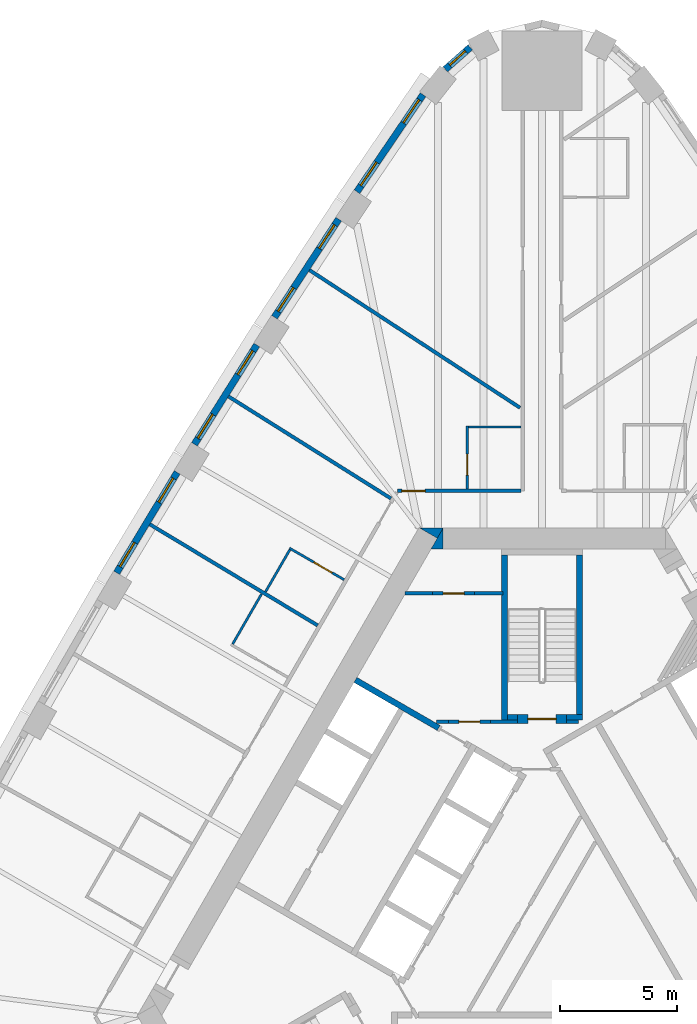
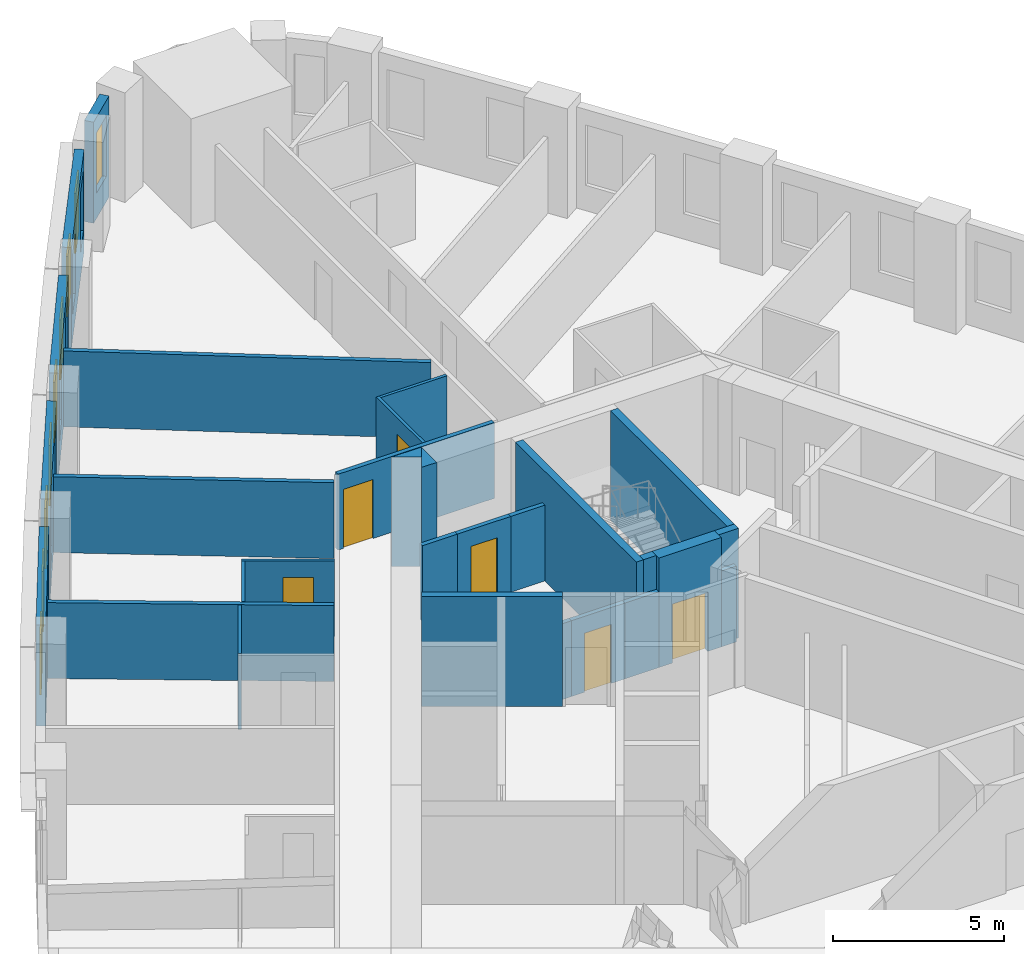
# One storey, part 9 of 12: 29 walls, 9 windows, 6 doors, 15 openings.
"""IFC4 building model written with IfcOpenShell, lengths in metres."""

import ifcopenshell
import ifcopenshell.guid

model = None  # the IFC model being written
_history = None  # IfcOwnerHistory: only IFC2X3 demands one
_inside = {}  # id of a spatial element -> (the spatial element, [elements in it])
_under = {}  # id of a project, library or spatial element -> (it, [spatial elements below it])
_declared = {}  # id of a project -> (the project, [libraries it declares])
_typed = {}  # id of a type object -> (the type object, [elements of that type])
_made_of = {}  # id of a material, layer set ... -> (it, [elements and type objects made of it])


def new_model(schema):
    """Start an empty IFC model of exactly this schema.

    Asked for "IFC4X3", IfcOpenShell would pick the latest addendum, in which some entities
    have other attributes; the version numbers below select the first issue.
    IFC2X3 requires an IfcOwnerHistory on every rooted entity: one is made here for all.
    """
    global model, _history
    if schema == "IFC4X3":
        model = ifcopenshell.file(schema_version=(4, 3, 0, 0))
    else:
        model = ifcopenshell.file(schema=schema)
    _inside.clear()
    _under.clear()
    _declared.clear()
    _typed.clear()
    _made_of.clear()
    _history = None
    if model.schema == "IFC2X3":
        org = make("IfcOrganization", Name="unknown")
        user = make(
            "IfcPersonAndOrganization",
            ThePerson=make("IfcPerson", FamilyName="unknown"),
            TheOrganization=org,
        )
        app = make(
            "IfcApplication",
            ApplicationDeveloper=org,
            Version="unknown",
            ApplicationFullName="unknown",
            ApplicationIdentifier="unknown",
        )
        _history = make(
            "IfcOwnerHistory",
            OwningUser=user,
            OwningApplication=app,
            ChangeAction="ADDED",
            CreationDate=0,
        )
    return model


def make(cls, **values):
    """One entity of the class cls with the attributes given. An attribute that is None is left unset."""
    return model.create_entity(
        cls, **{name: value for name, value in values.items() if value is not None}
    )


def rooted(cls, **values):
    """An entity with a GlobalId (a new one), such as an element, a storey or a relation."""
    return make(cls, GlobalId=ifcopenshell.guid.new(), OwnerHistory=_history, **values)


def si_unit(unit_type, name, prefix=None):
    """IfcSIUnit, for example si_unit("LENGTHUNIT", "METRE", prefix="MILLI")."""
    return make("IfcSIUnit", UnitType=unit_type, Prefix=prefix, Name=name)


def assignment(units):
    """IfcUnitAssignment: the units of a project."""
    return None if units is None else make("IfcUnitAssignment", Units=units)


def point(xyz):
    """IfcCartesianPoint."""
    return None if xyz is None else make("IfcCartesianPoint", Coordinates=xyz)


def direction(xyz):
    """IfcDirection."""
    return None if xyz is None else make("IfcDirection", DirectionRatios=xyz)


def frame(location, z_axis=None, x_axis=None):
    """IfcAxis2Placement3D, a coordinate frame: its origin and axes. An axis left out is left unset."""
    return make(
        "IfcAxis2Placement3D",
        Location=point(location),
        Axis=direction(z_axis),
        RefDirection=direction(x_axis),
    )


def frame_2d(location, x_axis=None):
    """IfcAxis2Placement2D, a coordinate frame in the plane: its origin and x axis."""
    return make(
        "IfcAxis2Placement2D", Location=point(location), RefDirection=direction(x_axis)
    )


def origin():
    """The frame at (0, 0, 0) with its axes left unset."""
    return frame((0.0, 0.0, 0.0))


def place(relative_to, where):
    """IfcLocalPlacement: puts the frame where relative to a parent placement (None: the world)."""
    return make(
        "IfcLocalPlacement", PlacementRelTo=relative_to, RelativePlacement=where
    )


def context(
    kind, dimensions, precision=None, world=None, true_north=None, identifier=None
):
    """IfcGeometricRepresentationContext, for example the 3D "Model" context."""
    return make(
        "IfcGeometricRepresentationContext",
        ContextIdentifier=identifier,
        ContextType=kind,
        CoordinateSpaceDimension=dimensions,
        Precision=precision,
        WorldCoordinateSystem=world,
        TrueNorth=true_north,
    )


def subcontext(parent, identifier, kind, view, scale=None):
    """IfcGeometricRepresentationSubContext, for example "Body" below "Model"."""
    return make(
        "IfcGeometricRepresentationSubContext",
        ContextIdentifier=identifier,
        ContextType=kind,
        ParentContext=parent,
        TargetScale=scale,
        TargetView=view,
    )


def project(units=None, contexts=None):
    """IfcProject with its units and contexts."""
    return rooted(
        "IfcProject",
        Name="project",
        RepresentationContexts=contexts,
        UnitsInContext=assignment(units),
    )


def spatial(cls, under=None, at=None, **own):
    """A site, building, storey or space (cls), placed at a placement, below another one or the project."""
    s = rooted(cls, ObjectPlacement=at, **own)
    if under is not None:
        _under.setdefault(under.id(), (under, []))[1].append(s)
    return s


def polyline(points):
    """IfcPolyline through the points."""
    return make("IfcPolyline", Points=[point(p) for p in points])


def profile(cls, at=None, kind="AREA", **sizes):
    """A parametric profile (cls). Its sizes go by their IFC names, for example OverallWidth=200.0."""
    return make(cls, ProfileType=kind, Position=at, **sizes)


def rectangle(**sizes):
    """IfcRectangleProfileDef."""
    return profile("IfcRectangleProfileDef", **sizes)


def outline(outer, holes=None, kind="AREA"):
    """IfcArbitraryClosedProfileDef: a profile drawn as a closed curve; with holes, ...WithVoids."""
    if holes is None:
        return make("IfcArbitraryClosedProfileDef", ProfileType=kind, OuterCurve=outer)
    return make(
        "IfcArbitraryProfileDefWithVoids",
        ProfileType=kind,
        OuterCurve=outer,
        InnerCurves=holes,
    )


def extrude(swept, where, along, depth):
    """IfcExtrudedAreaSolid: the profile swept, set in the frame where, extruded along a direction by depth."""
    return make(
        "IfcExtrudedAreaSolid",
        SweptArea=swept,
        Position=where,
        ExtrudedDirection=direction(along),
        Depth=depth,
    )


def shape(context_of_items, identifier, shape_type, items):
    """IfcShapeRepresentation: the items that make up one representation, for example the "Body"."""
    return make(
        "IfcShapeRepresentation",
        ContextOfItems=context_of_items,
        RepresentationIdentifier=identifier,
        RepresentationType=shape_type,
        Items=items,
    )


def material(Name=None, Category=None):
    """IfcMaterial."""
    return make("IfcMaterial", Name=Name, Category=Category)


def layer(
    of_material, thickness, ventilated=None, Name=None, Category=None, Priority=None
):
    """IfcMaterialLayer: one layer of a wall or slab, of a material (None: an air gap)."""
    return make(
        "IfcMaterialLayer",
        Material=of_material,
        LayerThickness=thickness,
        IsVentilated=ventilated,
        Name=Name,
        Category=Category,
        Priority=Priority,
    )


def layer_set(layers, Name=None):
    """IfcMaterialLayerSet."""
    return make("IfcMaterialLayerSet", MaterialLayers=layers, LayerSetName=Name)


def made_of(thing, what):
    """Note that an element or type object is made of a material, layer set ...; save() writes the relation."""
    if what is not None:
        _made_of.setdefault(what.id(), (what, []))[1].append(thing)
    return thing


def type_object(cls, material=None, **own):
    """A type object (cls), such as IfcWallType, which elements share."""
    return made_of(rooted(cls, **own), material)


def element(
    cls,
    number,
    at=None,
    inside=None,
    cuts=None,
    type_object=None,
    material=None,
    context=None,
    identifier="Body",
    shape_type=None,
    held_by="IfcProductDefinitionShape",
    body=None,
    shapes=None,
    **own,
):
    """One element of the class cls, such as IfcWall. Its Tag is "e" and its number.

    at: its placement. inside: the storey or other place that contains it. cuts: it is an
    opening in that element (IfcRelVoidsElement). A single representation is given by context,
    identifier, shape_type and body (its items); several are given by shapes. held_by: the class
    of the entity that holds the representations. save() writes the other relations.
    """
    e = rooted(cls, Tag="e%d" % number, ObjectPlacement=at, **own)
    if body is not None:
        shapes = [shape(context, identifier, shape_type, body)]
    if shapes is not None:
        e.Representation = make(held_by, Representations=shapes)
    if inside is not None:
        _inside.setdefault(inside.id(), (inside, []))[1].append(e)
    if cuts is not None:
        rooted(
            "IfcRelVoidsElement", RelatingBuildingElement=cuts, RelatedOpeningElement=e
        )
    if type_object is not None:
        _typed.setdefault(type_object.id(), (type_object, []))[1].append(e)
    return made_of(e, material)


def fill(opening, filler):
    """IfcRelFillsElement: the door or window that sits in an opening."""
    return rooted(
        "IfcRelFillsElement",
        RelatingOpeningElement=opening,
        RelatedBuildingElement=filler,
    )


def aggregate(whole, parts):
    """IfcRelAggregates: a whole, such as a stair, and the parts it consists of."""
    return rooted("IfcRelAggregates", RelatingObject=whole, RelatedObjects=parts)


def save(model, path):
    """Write the relations noted so far, then the file.

    IfcRelAggregates (storeys below a building ...), IfcRelContainedInSpatialStructure (elements
    in a storey), IfcRelDefinesByType, IfcRelAssociatesMaterial and IfcRelDeclares: one each for
    every whole, place, type object, material and project.
    """
    for whole, parts in _under.values():
        aggregate(whole, parts)
    for where, things in _inside.values():
        rooted(
            "IfcRelContainedInSpatialStructure",
            RelatedElements=things,
            RelatingStructure=where,
        )
    for kind, things in _typed.values():
        rooted("IfcRelDefinesByType", RelatedObjects=things, RelatingType=kind)
    for what, things in _made_of.values():
        rooted("IfcRelAssociatesMaterial", RelatedObjects=things, RelatingMaterial=what)
    for by, libraries in _declared.values():
        rooted("IfcRelDeclares", RelatingContext=by, RelatedDefinitions=libraries)
    model.write(path)


model = new_model("IFC4")

# Units and contexts
model_context = context("Model", 3, precision=1e-05, world=origin(), true_north=direction((0.0, 1.0)))
body_context = subcontext(model_context, "Body", "Model", "MODEL_VIEW")
ifc_project = project(units=[si_unit("LENGTHUNIT", "METRE"), si_unit("AREAUNIT", "SQUARE_METRE"), si_unit("VOLUMEUNIT", "CUBIC_METRE"), si_unit("PLANEANGLEUNIT", "RADIAN"), si_unit("MASSUNIT", "GRAM", prefix="KILO")], contexts=[model_context])

# Site, building, storey
site_placement = place(None, origin())
site = spatial("IfcSite", under=ifc_project, at=site_placement, CompositionType="ELEMENT")
building_placement = place(site_placement, origin())
building = spatial("IfcBuilding", under=site, at=building_placement, Name="Mestral Congress Tower", CompositionType="ELEMENT")
storey_placement = place(building_placement, frame((0.0, 0.0, 74.39990234375)))
storey = spatial("IfcBuildingStorey", under=building, at=storey_placement, Name="L17", CompositionType="ELEMENT", Elevation=74.39990234375)

# Walls
ifc_material_1 = material(Name="Fire-rated board partition")
ifc_layer_1 = layer(ifc_material_1, 0.14990234375)
ifc_layer_set_1 = layer_set([ifc_layer_1], Name="Fire-rated board partition")
wall_type_1 = type_object("IfcWallType", Name="Core partition 150", PredefinedType="PARTITIONING", material=ifc_layer_set_1)
wall_1_placement = place(storey_placement, frame((-3.99658203125, 8.625244140625, 0.0), z_axis=(0.0, 0.0, 1.0), x_axis=(-1.0, 0.0, 0.0)))
element("IfcWall", 1, at=wall_1_placement, inside=storey, type_object=wall_type_1, Name="L17 core wall", PredefinedType="PARTITIONING", context=body_context, shape_type="SweptSolid", body=[
    extrude(rectangle(XDim=0.502197265625, YDim=0.14990234375, at=frame_2d((0.2509765625, 0.0))), origin(), (0.0, 0.0, 1.0), 2.7001953125),
])
wall_2_placement = place(storey_placement, frame((-5.85107421875, 14.10205078125, 0.0), z_axis=(0.0, 0.0, 1.0), x_axis=(1.0, 0.0, 0.0)))
element("IfcWall", 2, at=wall_2_placement, inside=storey, type_object=wall_type_1, Name="L17 core wall", PredefinedType="PARTITIONING", context=body_context, shape_type="SweptSolid", body=[
    extrude(rectangle(XDim=1.18017578125, YDim=0.14990234375, at=frame_2d((0.590087890625, 0.0))), origin(), (0.0, 0.0, 1.0), 2.7001953125),
])
wall_3_placement = place(storey_placement, frame((-2.87060546875, 14.10205078125, 0.0), z_axis=(0.0, 0.0, 1.0), x_axis=(1.0, 0.0, 0.0)))
element("IfcWall", 3, at=wall_3_placement, inside=storey, type_object=wall_type_1, Name="L17 core wall", PredefinedType="PARTITIONING", context=body_context, shape_type="SweptSolid", body=[
    extrude(rectangle(XDim=1.195556640625, YDim=0.14990234375, at=frame_2d((0.59765625, 0.0))), origin(), (0.0, 0.0, 1.0), 2.7001953125),
])
wall_4_placement = place(storey_placement, frame((-2.1962890625, 8.62548828125, 0.0), z_axis=(0.0, 0.0, 1.0), x_axis=(1.0, 0.0, 0.0)))
element("IfcWall", 4, at=wall_4_placement, inside=storey, type_object=wall_type_1, Name="L17 core wall", PredefinedType="PARTITIONING", context=body_context, shape_type="SweptSolid", body=[
    extrude(rectangle(XDim=1.146240234375, YDim=0.14990234375, at=frame_2d((0.5732421875, 0.0))), origin(), (0.0, 0.0, 1.0), 2.7001953125),
])
wall_5_placement = place(storey_placement, frame((1.050048828125, 8.62548828125, 0.0), z_axis=(0.0, 0.0, 1.0), x_axis=(1.0, 0.0, 0.0)))
element("IfcWall", 5, at=wall_5_placement, inside=storey, type_object=wall_type_1, Name="L17 core wall", PredefinedType="PARTITIONING", context=body_context, shape_type="SweptSolid", body=[
    extrude(rectangle(XDim=0.513916015625, YDim=0.14990234375, at=frame_2d((0.2568359375, 0.0))), origin(), (0.0, 0.0, 1.0), 2.7001953125),
])

# Wall, opening, door
wall_6_placement = place(storey_placement, frame((-2.1962890625, 8.625, 0.0), z_axis=(0.0, 0.0, 1.0), x_axis=(-1.0, 0.0, 0.0)))
wall_6 = element("IfcWall", 6, at=wall_6_placement, inside=storey, type_object=wall_type_1, Name="L17 door wall", PredefinedType="PARTITIONING", context=body_context, shape_type="SweptSolid", body=[
    extrude(rectangle(XDim=1.800048828125, YDim=0.14990234375, at=frame_2d((0.89990234375, 0.0))), origin(), (0.0, 0.0, 1.0), 2.7001953125),
])
opening_1_placement = place(wall_6_placement, frame((0.449951171875, 0.0, 0.0)))
opening_1 = element("IfcOpeningElement", 7, at=opening_1_placement, cuts=wall_6, Name="Opening TD2", PredefinedType="OPENING", context=body_context, shape_type="SweptSolid", body=[
    extrude(rectangle(XDim=0.89990234375, YDim=2.10009765625, at=frame_2d((0.449951171875, 1.050048828125))), frame((0.0, 0.0849609375, 0.0), z_axis=(0.0, -1.0, 0.0), x_axis=(1.0, 0.0, 0.0)), (0.0, 0.0, 1.0), 0.169921875),
])
ifc_material_2 = material(Name="Fire-rated steel door set", Category="steel")
door_type_1 = type_object("IfcDoorType", Name="Core door SR 900x2100", OperationType="SINGLE_SWING_LEFT", PredefinedType="DOOR", material=ifc_material_2)
door_1_placement = place(opening_1_placement, origin())
door_1 = element("IfcDoor", 8, at=door_1_placement, inside=storey, type_object=door_type_1, Name="Door TD2", OperationType="SINGLE_SWING_LEFT", OverallHeight=2.10009765625, OverallWidth=0.89990234375, PredefinedType="DOOR", context=body_context, shape_type="SweptSolid", body=[
    extrude(rectangle(XDim=0.89990234375, YDim=2.10009765625, at=frame_2d((0.449951171875, 1.050048828125))), frame((0.0, 0.02490234375, 0.0), z_axis=(0.0, -1.0, 0.0), x_axis=(1.0, 0.0, 0.0)), (0.0, 0.0, 1.0), 0.050048828125),
])
fill(opening_1, door_1)

wall_7_placement = place(storey_placement, frame((-2.870849609375, 14.10205078125, 0.0), z_axis=(0.0, 0.0, 1.0), x_axis=(-1.0, 0.0, 0.0)))
wall_7 = element("IfcWall", 9, at=wall_7_placement, inside=storey, type_object=wall_type_1, Name="L17 door wall", PredefinedType="PARTITIONING", context=body_context, shape_type="SweptSolid", body=[
    extrude(rectangle(XDim=1.800048828125, YDim=0.14990234375, at=frame_2d((0.89990234375, 0.0))), origin(), (0.0, 0.0, 1.0), 2.7001953125),
])
opening_2_placement = place(wall_7_placement, frame((0.449951171875, 0.0, 0.0)))
opening_2 = element("IfcOpeningElement", 10, at=opening_2_placement, cuts=wall_7, Name="Opening SD-WS2", PredefinedType="OPENING", context=body_context, shape_type="SweptSolid", body=[
    extrude(rectangle(XDim=0.89990234375, YDim=2.10009765625, at=frame_2d((0.449951171875, 1.050048828125))), frame((0.0, 0.0849609375, 0.0), z_axis=(0.0, -1.0, 0.0), x_axis=(1.0, 0.0, 0.0)), (0.0, 0.0, 1.0), 0.169921875),
])
door_2_placement = place(opening_2_placement, origin())
door_2 = element("IfcDoor", 11, at=door_2_placement, inside=storey, type_object=door_type_1, Name="Door SD-WS2", OperationType="SINGLE_SWING_LEFT", OverallHeight=2.10009765625, OverallWidth=0.89990234375, PredefinedType="DOOR", context=body_context, shape_type="SweptSolid", body=[
    extrude(rectangle(XDim=0.89990234375, YDim=2.10009765625, at=frame_2d((0.449951171875, 1.050048828125))), frame((0.0, 0.02490234375, 0.0), z_axis=(0.0, -1.0, 0.0), x_axis=(1.0, 0.0, 0.0)), (0.0, 0.0, 1.0), 0.050048828125),
])
fill(opening_2, door_2)

# Walls
ifc_material_3 = material(Name="Concrete C60/75", Category="concrete")
ifc_layer_2 = layer(ifc_material_3, 0.89990234375)
ifc_layer_set_2 = layer_set([ifc_layer_2], Name="Concrete C60/75")
wall_type_2 = type_object("IfcWallType", Name="Core wall RC 900", PredefinedType="SOLIDWALL", material=ifc_layer_set_2)
placement = place(storey_placement, origin())
element("IfcWall", 12, at=placement, inside=storey, type_object=wall_type_2, Name="L17 core wall", PredefinedType="SOLIDWALL", context=body_context, shape_type="SweptSolid", body=[
    extrude(outline(polyline([(-4.214599609375, 16.89990234375), (-4.46875, 16.460205078125), (-5.230712890625, 16.89990234375), (-4.214599609375, 16.89990234375)])), origin(), (0.0, 0.0, 1.0), 3.900146484375),
])
element("IfcWall", 13, at=placement, inside=storey, type_object=wall_type_2, Name="L17 core wall", PredefinedType="SOLIDWALL", context=body_context, shape_type="SweptSolid", body=[
    extrude(outline(polyline([(-4.734375, 16.0), (-4.226318359375, 16.8798828125), (-4.226318359375, 16.0), (-4.734375, 16.0)])), origin(), (0.0, 0.0, 1.0), 3.900146484375),
])

# Wall, opening, window
ifc_material_4 = material(Name="Precast concrete C40/50 with limestone facing", Category="masonry")
ifc_layer_3 = layer(ifc_material_4, 0.2900390625)
ifc_layer_set_3 = layer_set([ifc_layer_3], Name="Precast concrete C40/50 with limestone facing")
wall_type_3 = type_object("IfcWallType", Name="Facade stone wall 290", PredefinedType="SOLIDWALL", material=ifc_layer_set_3)
wall_10_placement = place(storey_placement, frame((-3.064453125, 37.395263671875, 0.0), z_axis=(0.0, 0.0, 1.0), x_axis=(-0.749812680302, -0.661650167731, 0.0)))
wall_10 = element("IfcWall", 14, at=wall_10_placement, inside=storey, type_object=wall_type_3, Name="Facade wall K1-3", PredefinedType="SOLIDWALL", context=body_context, shape_type="SweptSolid", body=[
    extrude(rectangle(XDim=1.4150390625, YDim=0.2900390625, at=frame_2d((0.70751953125, 0.0))), origin(), (0.0, 0.0, 1.0), 3.60009765625),
])
opening_3_placement = place(wall_10_placement, frame((0.257568359375, 0.0, 0.89990234375)))
opening_3 = element("IfcOpeningElement", 15, at=opening_3_placement, cuts=wall_10, Name="Opening W3", PredefinedType="OPENING", context=body_context, shape_type="SweptSolid", body=[
    extrude(rectangle(XDim=0.89990234375, YDim=2.14990234375, at=frame_2d((0.449951171875, 1.074951171875))), frame((0.0, 0.155029296875, 0.0), z_axis=(0.0, -1.0, 0.0), x_axis=(1.0, 0.0, 0.0)), (0.0, 0.0, 1.0), 0.31005859375),
])
ifc_material_5 = material(Name="Clear low-emissivity double glazing", Category="glass")
window_type_1 = type_object("IfcWindowType", Name="Facade punched window 900 x 2150 sill 900", PartitioningType="SINGLE_PANEL", PredefinedType="WINDOW", material=ifc_material_5)
window_1_placement = place(opening_3_placement, origin())
window_1 = element("IfcWindow", 16, at=window_1_placement, inside=storey, type_object=window_type_1, Name="Window K1-3", OverallHeight=2.14990234375, OverallWidth=0.89990234375, PartitioningType="SINGLE_PANEL", PredefinedType="WINDOW", context=body_context, shape_type="SweptSolid", body=[
    extrude(rectangle(XDim=0.89990234375, YDim=2.14990234375, at=frame_2d((0.449951171875, 1.074951171875))), frame((0.0, 0.01513671875, 0.0), z_axis=(0.0, -1.0, 0.0), x_axis=(1.0, 0.0, 0.0)), (0.0, 0.0, 1.0), 0.06005859375),
])
fill(opening_3, window_1)

# Wall, openings, windows
wall_11_placement = place(storey_placement, frame((-5.078369140625, 35.37646484375, 0.0), z_axis=(0.0, 0.0, 1.0), x_axis=(-0.562610153679, -0.826722332454, 0.0)))
wall_11 = element("IfcWall", 17, at=wall_11_placement, inside=storey, type_object=wall_type_3, Name="Facade wall F2-00", PredefinedType="SOLIDWALL", context=body_context, shape_type="SweptSolid", body=[
    extrude(rectangle(XDim=5.005615234375, YDim=0.2900390625, at=frame_2d((2.5029296875, 0.0))), origin(), (0.0, 0.0, 1.0), 3.60009765625),
])
opening_4_placement = place(wall_11_placement, frame((0.26513671875, 0.0, 0.89990234375)))
opening_4 = element("IfcOpeningElement", 18, at=opening_4_placement, cuts=wall_11, Name="Opening W1", PredefinedType="OPENING", context=body_context, shape_type="SweptSolid", body=[
    extrude(rectangle(XDim=1.199951171875, YDim=2.14990234375, at=frame_2d((0.60009765625, 1.074951171875))), frame((0.0, 0.155029296875, 0.0), z_axis=(0.0, -1.0, 0.0), x_axis=(1.0, 0.0, 0.0)), (0.0, 0.0, 1.0), 0.31005859375),
])
opening_5_placement = place(wall_11_placement, frame((3.495361328125, 0.0, 0.89990234375)))
opening_5 = element("IfcOpeningElement", 19, at=opening_5_placement, cuts=wall_11, Name="Opening W1", PredefinedType="OPENING", context=body_context, shape_type="SweptSolid", body=[
    extrude(rectangle(XDim=1.199951171875, YDim=2.14990234375, at=frame_2d((0.60009765625, 1.074951171875))), frame((0.0, 0.155029296875, 0.0), z_axis=(0.0, -1.0, 0.0), x_axis=(1.0, 0.0, 0.0)), (0.0, 0.0, 1.0), 0.31005859375),
])
window_type_2 = type_object("IfcWindowType", Name="Facade punched window 1200 x 2150 sill 900", PartitioningType="DOUBLE_PANEL_VERTICAL", PredefinedType="WINDOW", material=ifc_material_5)
window_2_placement = place(opening_4_placement, origin())
window_2 = element("IfcWindow", 20, at=window_2_placement, inside=storey, type_object=window_type_2, Name="Window F2-00a", OverallHeight=2.14990234375, OverallWidth=1.199951171875, PartitioningType="DOUBLE_PANEL_VERTICAL", PredefinedType="WINDOW", context=body_context, shape_type="SweptSolid", body=[
    extrude(rectangle(XDim=1.199951171875, YDim=2.14990234375, at=frame_2d((0.60009765625, 1.074951171875))), frame((0.0, 0.01513671875, 0.0), z_axis=(0.0, -1.0, 0.0), x_axis=(1.0, 0.0, 0.0)), (0.0, 0.0, 1.0), 0.06005859375),
])
fill(opening_4, window_2)
window_3_placement = place(opening_5_placement, origin())
window_3 = element("IfcWindow", 21, at=window_3_placement, inside=storey, type_object=window_type_2, Name="Window F2-00b", OverallHeight=2.14990234375, OverallWidth=1.199951171875, PartitioningType="DOUBLE_PANEL_VERTICAL", PredefinedType="WINDOW", context=body_context, shape_type="SweptSolid", body=[
    extrude(rectangle(XDim=1.199951171875, YDim=2.14990234375, at=frame_2d((0.60009765625, 1.074951171875))), frame((0.0, 0.01513671875, 0.0), z_axis=(0.0, -1.0, 0.0), x_axis=(1.0, 0.0, 0.0)), (0.0, 0.0, 1.0), 0.06005859375),
])
fill(opening_5, window_3)

wall_12_placement = place(storey_placement, frame((-8.675537109375, 30.067626953125, 0.0), z_axis=(0.0, 0.0, 1.0), x_axis=(-0.547204617628, -0.836998868845, 0.0)))
wall_12 = element("IfcWall", 22, at=wall_12_placement, inside=storey, type_object=wall_type_3, Name="Facade wall F2-01", PredefinedType="SOLIDWALL", context=body_context, shape_type="SweptSolid", body=[
    extrude(rectangle(XDim=4.998291015625, YDim=0.2900390625, at=frame_2d((2.4990234375, 0.0))), origin(), (0.0, 0.0, 1.0), 3.60009765625),
])
opening_6_placement = place(wall_12_placement, frame((0.297119140625, 0.0, 0.89990234375)))
opening_6 = element("IfcOpeningElement", 23, at=opening_6_placement, cuts=wall_12, Name="Opening W1", PredefinedType="OPENING", context=body_context, shape_type="SweptSolid", body=[
    extrude(rectangle(XDim=1.199951171875, YDim=2.14990234375, at=frame_2d((0.60009765625, 1.074951171875))), frame((0.0, 0.155029296875, 0.0), z_axis=(0.0, -1.0, 0.0), x_axis=(1.0, 0.0, 0.0)), (0.0, 0.0, 1.0), 0.31005859375),
])
opening_7_placement = place(wall_12_placement, frame((3.501220703125, 0.0, 0.89990234375)))
opening_7 = element("IfcOpeningElement", 24, at=opening_7_placement, cuts=wall_12, Name="Opening W1", PredefinedType="OPENING", context=body_context, shape_type="SweptSolid", body=[
    extrude(rectangle(XDim=1.199951171875, YDim=2.14990234375, at=frame_2d((0.60009765625, 1.074951171875))), frame((0.0, 0.155029296875, 0.0), z_axis=(0.0, -1.0, 0.0), x_axis=(1.0, 0.0, 0.0)), (0.0, 0.0, 1.0), 0.31005859375),
])
window_4_placement = place(opening_6_placement, origin())
window_4 = element("IfcWindow", 25, at=window_4_placement, inside=storey, type_object=window_type_2, Name="Window F2-01a", OverallHeight=2.14990234375, OverallWidth=1.199951171875, PartitioningType="DOUBLE_PANEL_VERTICAL", PredefinedType="WINDOW", context=body_context, shape_type="SweptSolid", body=[
    extrude(rectangle(XDim=1.199951171875, YDim=2.14990234375, at=frame_2d((0.60009765625, 1.074951171875))), frame((0.0, 0.01513671875, 0.0), z_axis=(0.0, -1.0, 0.0), x_axis=(1.0, 0.0, 0.0)), (0.0, 0.0, 1.0), 0.06005859375),
])
fill(opening_6, window_4)
window_5_placement = place(opening_7_placement, origin())
window_5 = element("IfcWindow", 26, at=window_5_placement, inside=storey, type_object=window_type_2, Name="Window F2-01b", OverallHeight=2.14990234375, OverallWidth=1.199951171875, PartitioningType="DOUBLE_PANEL_VERTICAL", PredefinedType="WINDOW", context=body_context, shape_type="SweptSolid", body=[
    extrude(rectangle(XDim=1.199951171875, YDim=2.14990234375, at=frame_2d((0.60009765625, 1.074951171875))), frame((0.0, 0.01513671875, 0.0), z_axis=(0.0, -1.0, 0.0), x_axis=(1.0, 0.0, 0.0)), (0.0, 0.0, 1.0), 0.06005859375),
])
fill(opening_7, window_5)

wall_13_placement = place(storey_placement, frame((-12.169921875, 24.69921875, 0.0), z_axis=(0.0, 0.0, 1.0), x_axis=(-0.531688286542, -0.846940119462, 0.0)))
wall_13 = element("IfcWall", 27, at=wall_13_placement, inside=storey, type_object=wall_type_3, Name="Facade wall F2-02", PredefinedType="SOLIDWALL", context=body_context, shape_type="SweptSolid", body=[
    extrude(rectangle(XDim=4.998291015625, YDim=0.2900390625, at=frame_2d((2.4990234375, 0.0))), origin(), (0.0, 0.0, 1.0), 3.60009765625),
])
opening_8_placement = place(wall_13_placement, frame((0.297119140625, 0.0, 0.89990234375)))
opening_8 = element("IfcOpeningElement", 28, at=opening_8_placement, cuts=wall_13, Name="Opening W1", PredefinedType="OPENING", context=body_context, shape_type="SweptSolid", body=[
    extrude(rectangle(XDim=1.199951171875, YDim=2.14990234375, at=frame_2d((0.60009765625, 1.074951171875))), frame((0.0, 0.155029296875, 0.0), z_axis=(0.0, -1.0, 0.0), x_axis=(1.0, 0.0, 0.0)), (0.0, 0.0, 1.0), 0.31005859375),
])
opening_9_placement = place(wall_13_placement, frame((3.501220703125, 0.0, 0.89990234375)))
opening_9 = element("IfcOpeningElement", 29, at=opening_9_placement, cuts=wall_13, Name="Opening W1", PredefinedType="OPENING", context=body_context, shape_type="SweptSolid", body=[
    extrude(rectangle(XDim=1.199951171875, YDim=2.14990234375, at=frame_2d((0.60009765625, 1.074951171875))), frame((0.0, 0.155029296875, 0.0), z_axis=(0.0, -1.0, 0.0), x_axis=(1.0, 0.0, 0.0)), (0.0, 0.0, 1.0), 0.31005859375),
])
window_6_placement = place(opening_8_placement, origin())
window_6 = element("IfcWindow", 30, at=window_6_placement, inside=storey, type_object=window_type_2, Name="Window F2-02a", OverallHeight=2.14990234375, OverallWidth=1.199951171875, PartitioningType="DOUBLE_PANEL_VERTICAL", PredefinedType="WINDOW", context=body_context, shape_type="SweptSolid", body=[
    extrude(rectangle(XDim=1.199951171875, YDim=2.14990234375, at=frame_2d((0.60009765625, 1.074951171875))), frame((0.0, 0.01513671875, 0.0), z_axis=(0.0, -1.0, 0.0), x_axis=(1.0, 0.0, 0.0)), (0.0, 0.0, 1.0), 0.06005859375),
])
fill(opening_8, window_6)
window_7_placement = place(opening_9_placement, origin())
window_7 = element("IfcWindow", 31, at=window_7_placement, inside=storey, type_object=window_type_2, Name="Window F2-02b", OverallHeight=2.14990234375, OverallWidth=1.199951171875, PartitioningType="DOUBLE_PANEL_VERTICAL", PredefinedType="WINDOW", context=body_context, shape_type="SweptSolid", body=[
    extrude(rectangle(XDim=1.199951171875, YDim=2.14990234375, at=frame_2d((0.60009765625, 1.074951171875))), frame((0.0, 0.01513671875, 0.0), z_axis=(0.0, -1.0, 0.0), x_axis=(1.0, 0.0, 0.0)), (0.0, 0.0, 1.0), 0.06005859375),
])
fill(opening_9, window_7)

wall_14_placement = place(storey_placement, frame((-15.564453125, 19.267333984375, 0.0), z_axis=(0.0, 0.0, 1.0), x_axis=(-0.515938796285, -0.856625448191, 0.0)))
wall_14 = element("IfcWall", 32, at=wall_14_placement, inside=storey, type_object=wall_type_3, Name="Facade wall F2-03", PredefinedType="SOLIDWALL", context=body_context, shape_type="SweptSolid", body=[
    extrude(rectangle(XDim=4.998291015625, YDim=0.2900390625, at=frame_2d((2.4990234375, 0.0))), origin(), (0.0, 0.0, 1.0), 3.60009765625),
])
opening_10_placement = place(wall_14_placement, frame((0.297119140625, 0.0, 0.89990234375)))
opening_10 = element("IfcOpeningElement", 33, at=opening_10_placement, cuts=wall_14, Name="Opening W1", PredefinedType="OPENING", context=body_context, shape_type="SweptSolid", body=[
    extrude(rectangle(XDim=1.199951171875, YDim=2.14990234375, at=frame_2d((0.60009765625, 1.074951171875))), frame((0.0, 0.155029296875, 0.0), z_axis=(0.0, -1.0, 0.0), x_axis=(1.0, 0.0, 0.0)), (0.0, 0.0, 1.0), 0.31005859375),
])
opening_11_placement = place(wall_14_placement, frame((3.501220703125, 0.0, 0.89990234375)))
opening_11 = element("IfcOpeningElement", 34, at=opening_11_placement, cuts=wall_14, Name="Opening W1", PredefinedType="OPENING", context=body_context, shape_type="SweptSolid", body=[
    extrude(rectangle(XDim=1.199951171875, YDim=2.14990234375, at=frame_2d((0.60009765625, 1.074951171875))), frame((0.0, 0.155029296875, 0.0), z_axis=(0.0, -1.0, 0.0), x_axis=(1.0, 0.0, 0.0)), (0.0, 0.0, 1.0), 0.31005859375),
])
window_8_placement = place(opening_10_placement, origin())
window_8 = element("IfcWindow", 35, at=window_8_placement, inside=storey, type_object=window_type_2, Name="Window F2-03a", OverallHeight=2.14990234375, OverallWidth=1.199951171875, PartitioningType="DOUBLE_PANEL_VERTICAL", PredefinedType="WINDOW", context=body_context, shape_type="SweptSolid", body=[
    extrude(rectangle(XDim=1.199951171875, YDim=2.14990234375, at=frame_2d((0.60009765625, 1.074951171875))), frame((0.0, 0.01513671875, 0.0), z_axis=(0.0, -1.0, 0.0), x_axis=(1.0, 0.0, 0.0)), (0.0, 0.0, 1.0), 0.06005859375),
])
fill(opening_10, window_8)
window_9_placement = place(opening_11_placement, origin())
window_9 = element("IfcWindow", 36, at=window_9_placement, inside=storey, type_object=window_type_2, Name="Window F2-03b", OverallHeight=2.14990234375, OverallWidth=1.199951171875, PartitioningType="DOUBLE_PANEL_VERTICAL", PredefinedType="WINDOW", context=body_context, shape_type="SweptSolid", body=[
    extrude(rectangle(XDim=1.199951171875, YDim=2.14990234375, at=frame_2d((0.60009765625, 1.074951171875))), frame((0.0, 0.01513671875, 0.0), z_axis=(0.0, -1.0, 0.0), x_axis=(1.0, 0.0, 0.0)), (0.0, 0.0, 1.0), 0.06005859375),
])
fill(opening_11, window_9)

# Wall, opening, door
ifc_material_6 = material(Name="Gypsum board partition on metal studs with mineral wool", Category="composite")
ifc_layer_4 = layer(ifc_material_6, 0.10009765625)
ifc_layer_set_4 = layer_set([ifc_layer_4], Name="Gypsum board partition on metal studs with mineral wool")
wall_type_4 = type_object("IfcWallType", Name="Hotel partition wall 100", PredefinedType="PARTITIONING", material=ifc_layer_set_4)
wall_15_placement = place(storey_placement, frame((-3.18505859375, 21.25, 0.0), z_axis=(0.0, 0.0, 1.0), x_axis=(0.0, -1.0, 0.0)))
wall_15 = element("IfcWall", 37, at=wall_15_placement, inside=storey, type_object=wall_type_4, Name="L17-h-pod16a", PredefinedType="PARTITIONING", context=body_context, shape_type="SweptSolid", body=[
    extrude(rectangle(XDim=2.699951171875, YDim=0.10009765625, at=frame_2d((1.35009765625, 0.0))), origin(), (0.0, 0.0, 1.0), 2.7001953125),
])
opening_12_placement = place(wall_15_placement, frame((1.199951171875, 0.0, 0.0)))
opening_12 = element("IfcOpeningElement", 38, at=opening_12_placement, cuts=wall_15, Name="Opening H05-029", PredefinedType="OPENING", context=body_context, shape_type="SweptSolid", body=[
    extrude(rectangle(XDim=0.89990234375, YDim=2.10009765625, at=frame_2d((0.449951171875, 1.050048828125))), frame((0.0, 0.06005859375, 0.0), z_axis=(0.0, -1.0, 0.0), x_axis=(1.0, 0.0, 0.0)), (0.0, 0.0, 1.0), 0.1201171875),
])
ifc_material_7 = material(Name="Timber veneer door leaf in timber frame", Category="wood")
door_type_2 = type_object("IfcDoorType", Name="Bathroom door 900", OperationType="SINGLE_SWING_LEFT", PredefinedType="DOOR", material=ifc_material_7)
door_3_placement = place(opening_12_placement, origin())
door_3 = element("IfcDoor", 39, at=door_3_placement, inside=storey, type_object=door_type_2, Name="L17-h-d029", OperationType="SINGLE_SWING_LEFT", OverallHeight=2.10009765625, OverallWidth=0.89990234375, PredefinedType="DOOR", context=body_context, shape_type="SweptSolid", body=[
    extrude(rectangle(XDim=0.89990234375, YDim=2.10009765625, at=frame_2d((0.449951171875, 1.050048828125))), frame((0.0, 0.02490234375, 0.0), z_axis=(0.0, -1.0, 0.0), x_axis=(1.0, 0.0, 0.0)), (0.0, 0.0, 1.0), 0.050048828125),
])
fill(opening_12, door_3)

# Wall
wall_16_placement = place(storey_placement, frame((-3.135009765625, 21.199951171875, 0.0), z_axis=(0.0, 0.0, 1.0), x_axis=(1.0, 0.0, 0.0)))
element("IfcWall", 40, at=wall_16_placement, inside=storey, type_object=wall_type_4, Name="L17-h-pod16b", PredefinedType="PARTITIONING", context=body_context, shape_type="SweptSolid", body=[
    extrude(rectangle(XDim=2.22998046875, YDim=0.10009765625, at=frame_2d((1.114990234375, 0.0))), origin(), (0.0, 0.0, 1.0), 2.7001953125),
])

# Wall, opening, door
wall_17_placement = place(storey_placement, frame((-8.4365234375, 14.687255859375, 0.0), z_axis=(0.0, 0.0, 1.0), x_axis=(-0.866019956843, 0.50000943426, 0.0)))
wall_17 = element("IfcWall", 41, at=wall_17_placement, inside=storey, type_object=wall_type_4, Name="L17-h-pod17a", PredefinedType="PARTITIONING", context=body_context, shape_type="SweptSolid", body=[
    extrude(rectangle(XDim=2.7001953125, YDim=0.10009765625, at=frame_2d((1.35009765625, 0.0))), origin(), (0.0, 0.0, 1.0), 2.7001953125),
])
opening_13_placement = place(wall_17_placement, frame((0.60009765625, 0.0, 0.0)))
opening_13 = element("IfcOpeningElement", 42, at=opening_13_placement, cuts=wall_17, Name="Opening H05-031", PredefinedType="OPENING", context=body_context, shape_type="SweptSolid", body=[
    extrude(rectangle(XDim=0.89990234375, YDim=2.10009765625, at=frame_2d((0.449951171875, 1.050048828125))), frame((0.0, 0.06005859375, 0.0), z_axis=(0.0, -1.0, 0.0), x_axis=(1.0, 0.0, 0.0)), (0.0, 0.0, 1.0), 0.1201171875),
])
door_4_placement = place(opening_13_placement, origin())
door_4 = element("IfcDoor", 43, at=door_4_placement, inside=storey, type_object=door_type_2, Name="L17-h-d031", OperationType="SINGLE_SWING_LEFT", OverallHeight=2.10009765625, OverallWidth=0.89990234375, PredefinedType="DOOR", context=body_context, shape_type="SweptSolid", body=[
    extrude(rectangle(XDim=0.89990234375, YDim=2.10009765625, at=frame_2d((0.449951171875, 1.050048828125))), frame((0.0, 0.02490234375, 0.0), z_axis=(0.0, -1.0, 0.0), x_axis=(1.0, 0.0, 0.0)), (0.0, 0.0, 1.0), 0.050048828125),
])
fill(opening_13, door_4)

# Walls
wall_18_placement = place(storey_placement, frame((-10.756591796875, 15.968994140625, 0.0), z_axis=(0.0, 0.0, 1.0), x_axis=(-0.499957272447, -0.866050071143, 0.0)))
element("IfcWall", 44, at=wall_18_placement, inside=storey, type_object=wall_type_4, Name="L17-h-pod17b", PredefinedType="PARTITIONING", context=body_context, shape_type="SweptSolid", body=[
    extrude(rectangle(XDim=2.070068359375, YDim=0.10009765625, at=frame_2d((1.03515625, 0.0))), origin(), (0.0, 0.0, 1.0), 2.7001953125),
])
wall_19_placement = place(storey_placement, frame((-13.19677734375, 11.9423828125, 0.0), z_axis=(0.0, 0.0, 1.0), x_axis=(0.499944914708, 0.866057204957, 0.0)))
element("IfcWall", 45, at=wall_19_placement, inside=storey, type_object=wall_type_4, Name="L17-h-pod18b", PredefinedType="PARTITIONING", context=body_context, shape_type="SweptSolid", body=[
    extrude(rectangle(XDim=2.469970703125, YDim=0.10009765625, at=frame_2d((1.23486328125, 0.0))), origin(), (0.0, 0.0, 1.0), 2.7001953125),
])

# Wall, opening, door
ifc_layer_5 = layer(ifc_material_6, 0.14990234375)
ifc_layer_set_5 = layer_set([ifc_layer_5], Name="Gypsum board partition on metal studs with mineral wool")
wall_type_5 = type_object("IfcWallType", Name="Hotel partition wall 150", PredefinedType="PARTITIONING", material=ifc_layer_set_5)
wall_20_placement = place(storey_placement, frame((-6.1630859375, 18.47509765625, 0.0), z_axis=(0.0, 0.0, 1.0), x_axis=(1.0, 0.0, 0.0)))
wall_20 = element("IfcWall", 46, at=wall_20_placement, inside=storey, type_object=wall_type_5, Name="L17-h-cw07", PredefinedType="PARTITIONING", context=body_context, shape_type="SweptSolid", body=[
    extrude(rectangle(XDim=5.258056640625, YDim=0.14990234375, at=frame_2d((2.62890625, 0.0))), origin(), (0.0, 0.0, 1.0), 2.7001953125),
])
opening_14_placement = place(wall_20_placement, frame((0.179931640625, 0.0, 0.0)))
opening_14 = element("IfcOpeningElement", 47, at=opening_14_placement, cuts=wall_20, Name="Opening H05-028", PredefinedType="OPENING", context=body_context, shape_type="SweptSolid", body=[
    extrude(rectangle(XDim=1.0, YDim=2.10009765625, at=frame_2d((0.5, 1.050048828125))), frame((0.0, 0.0849609375, 0.0), z_axis=(0.0, -1.0, 0.0), x_axis=(1.0, 0.0, 0.0)), (0.0, 0.0, 1.0), 0.169921875),
])
ifc_material_8 = material(Name="Timber veneer door leaf in metal frame", Category="wood")
door_type_3 = type_object("IfcDoorType", Name="Guest room entrance door 1000", OperationType="SINGLE_SWING_LEFT", PredefinedType="DOOR", material=ifc_material_8)
door_5_placement = place(opening_14_placement, origin())
door_5 = element("IfcDoor", 48, at=door_5_placement, inside=storey, type_object=door_type_3, Name="L17-h-d028", OperationType="SINGLE_SWING_LEFT", OverallHeight=2.10009765625, OverallWidth=1.0, PredefinedType="DOOR", context=body_context, shape_type="SweptSolid", body=[
    extrude(rectangle(XDim=1.0, YDim=2.10009765625, at=frame_2d((0.5, 1.050048828125))), frame((0.0, 0.02490234375, 0.0), z_axis=(0.0, -1.0, 0.0), x_axis=(1.0, 0.0, 0.0)), (0.0, 0.0, 1.0), 0.050048828125),
])
fill(opening_14, door_5)

# Walls
wall_21_placement = place(storey_placement, frame((-16.7294921875, 17.051513671875, 0.0), z_axis=(0.0, 0.0, 1.0), x_axis=(0.856630606266, -0.515930232113, 0.0)))
element("IfcWall", 49, at=wall_21_placement, inside=storey, type_object=wall_type_5, Name="L17-h-pw08", PredefinedType="PARTITIONING", context=body_context, shape_type="SweptSolid", body=[
    extrude(rectangle(XDim=8.35546875, YDim=0.14990234375, at=frame_2d((4.177734375, 0.0))), origin(), (0.0, 0.0, 1.0), 2.7001953125),
])
wall_22_placement = place(storey_placement, frame((-13.375732421875, 22.505615234375, 0.0), z_axis=(0.0, 0.0, 1.0), x_axis=(0.846945608893, -0.531679542183, 0.0)))
element("IfcWall", 50, at=wall_22_placement, inside=storey, type_object=wall_type_5, Name="L17-h-pw10", PredefinedType="PARTITIONING", context=body_context, shape_type="SweptSolid", body=[
    extrude(rectangle(XDim=8.182373046875, YDim=0.14990234375, at=frame_2d((4.09130859375, 0.0))), origin(), (0.0, 0.0, 1.0), 2.7001953125),
])
wall_23_placement = place(storey_placement, frame((-9.921630859375, 27.896484375, 0.0), z_axis=(0.0, 0.0, 1.0), x_axis=(0.836970816595, -0.547247523675, 0.0)))
element("IfcWall", 51, at=wall_23_placement, inside=storey, type_object=wall_type_5, Name="L17-h-pw11", PredefinedType="PARTITIONING", context=body_context, shape_type="SweptSolid", body=[
    extrude(rectangle(XDim=10.728759765625, YDim=0.14990234375, at=frame_2d((5.3642578125, 0.0))), origin(), (0.0, 0.0, 1.0), 2.7001953125),
])
ifc_layer_6 = layer(ifc_material_3, 0.25)
ifc_layer_set_6 = layer_set([ifc_layer_6], Name="Concrete C60/75")
wall_type_6 = type_object("IfcWallType", Name="Shaft wall RC 250", PredefinedType="SOLIDWALL", material=ifc_layer_set_6)
wall_24_placement = place(storey_placement, frame((-7.958984375, 10.414794921875, 0.0), z_axis=(0.0, 0.0, 1.0), x_axis=(0.866020958405, -0.500007699544, 0.0)))
element("IfcWall", 52, at=wall_24_placement, inside=storey, type_object=wall_type_6, Name="L17 core wall", PredefinedType="SOLIDWALL", context=body_context, shape_type="SweptSolid", body=[
    extrude(rectangle(XDim=4.099609375, YDim=0.25, at=frame_2d((2.0498046875, 0.0))), origin(), (0.0, 0.0, 1.0), 3.900146484375),
])
ifc_layer_7 = layer(ifc_material_3, 0.25)
ifc_layer_set_7 = layer_set([ifc_layer_7], Name="Concrete C60/75")
wall_type_7 = type_object("IfcWallType", Name="Stair wall RC 250", PredefinedType="SOLIDWALL", material=ifc_layer_set_7)
wall_25_placement = place(storey_placement, frame((1.60009765625, 8.949951171875, 0.0), z_axis=(0.0, 0.0, 1.0), x_axis=(0.0, 1.0, 0.0)))
element("IfcWall", 53, at=wall_25_placement, inside=storey, type_object=wall_type_7, Name="L17 core wall", PredefinedType="SOLIDWALL", context=body_context, shape_type="SweptSolid", body=[
    extrude(rectangle(XDim=6.800048828125, YDim=0.25, at=frame_2d((3.39990234375, 0.0))), origin(), (0.0, 0.0, 1.0), 3.900146484375),
])
wall_26_placement = place(storey_placement, frame((1.050048828125, 8.824951171875, 0.0), z_axis=(0.0, 0.0, 1.0), x_axis=(1.0, 0.0, 0.0)))
element("IfcWall", 54, at=wall_26_placement, inside=storey, type_object=wall_type_7, Name="L17 core wall", PredefinedType="SOLIDWALL", context=body_context, shape_type="SweptSolid", body=[
    extrude(rectangle(XDim=0.675048828125, YDim=0.25, at=frame_2d((0.33740234375, 0.0))), origin(), (0.0, 0.0, 1.0), 3.900146484375),
])
wall_27_placement = place(storey_placement, frame((-1.60009765625, 8.699951171875, 0.0), z_axis=(0.0, 0.0, 1.0), x_axis=(0.0, 1.0, 0.0)))
element("IfcWall", 55, at=wall_27_placement, inside=storey, type_object=wall_type_7, Name="L17 core wall", PredefinedType="SOLIDWALL", context=body_context, shape_type="SweptSolid", body=[
    extrude(rectangle(XDim=7.050048828125, YDim=0.25, at=frame_2d((3.52490234375, 0.0))), origin(), (0.0, 0.0, 1.0), 3.900146484375),
])
wall_28_placement = place(storey_placement, frame((-1.47509765625, 8.824951171875, 0.0), z_axis=(0.0, 0.0, 1.0), x_axis=(1.0, 0.0, 0.0)))
element("IfcWall", 56, at=wall_28_placement, inside=storey, type_object=wall_type_7, Name="L17 core wall", PredefinedType="SOLIDWALL", context=body_context, shape_type="SweptSolid", body=[
    extrude(rectangle(XDim=0.425048828125, YDim=0.25, at=frame_2d((0.21240234375, 0.0))), origin(), (0.0, 0.0, 1.0), 3.900146484375),
])

# Wall, opening, door
ifc_layer_8 = layer(ifc_material_3, 0.39990234375)
ifc_layer_set_8 = layer_set([ifc_layer_8], Name="Concrete C60/75")
wall_type_8 = type_object("IfcWallType", Name="Stair wall RC 250 door-wall 400", PredefinedType="SOLIDWALL", material=ifc_layer_set_8)
wall_29_placement = place(storey_placement, frame((1.050048828125, 8.75, 0.0), z_axis=(0.0, 0.0, 1.0), x_axis=(-1.0, 0.0, 0.0)))
wall_29 = element("IfcWall", 57, at=wall_29_placement, inside=storey, type_object=wall_type_8, Name="L17 door wall", PredefinedType="SOLIDWALL", context=body_context, shape_type="SweptSolid", body=[
    extrude(rectangle(XDim=2.10009765625, YDim=0.39990234375, at=frame_2d((1.050048828125, 0.0))), origin(), (0.0, 0.0, 1.0), 3.900146484375),
])
opening_15_placement = place(wall_29_placement, frame((0.449951171875, 0.0, 0.0)))
opening_15 = element("IfcOpeningElement", 58, at=opening_15_placement, cuts=wall_29, Name="Opening ST-D2", PredefinedType="OPENING", context=body_context, shape_type="SweptSolid", body=[
    extrude(rectangle(XDim=1.199951171875, YDim=2.10009765625, at=frame_2d((0.60009765625, 1.050048828125))), frame((0.0, 0.2099609375, 0.0), z_axis=(0.0, -1.0, 0.0), x_axis=(1.0, 0.0, 0.0)), (0.0, 0.0, 1.0), 0.419921875),
])
door_type_4 = type_object("IfcDoorType", Name="Core door ST 1200x2100", OperationType="SINGLE_SWING_LEFT", PredefinedType="DOOR", material=ifc_material_2)
door_6_placement = place(opening_15_placement, origin())
door_6 = element("IfcDoor", 59, at=door_6_placement, inside=storey, type_object=door_type_4, Name="Door ST-D2", OperationType="SINGLE_SWING_LEFT", OverallHeight=2.10009765625, OverallWidth=1.199951171875, PredefinedType="DOOR", context=body_context, shape_type="SweptSolid", body=[
    extrude(rectangle(XDim=1.199951171875, YDim=2.10009765625, at=frame_2d((0.60009765625, 1.050048828125))), frame((0.0, 0.02490234375, 0.0), z_axis=(0.0, -1.0, 0.0), x_axis=(1.0, 0.0, 0.0)), (0.0, 0.0, 1.0), 0.050048828125),
])
fill(opening_15, door_6)

save(model, "model.ifc")
